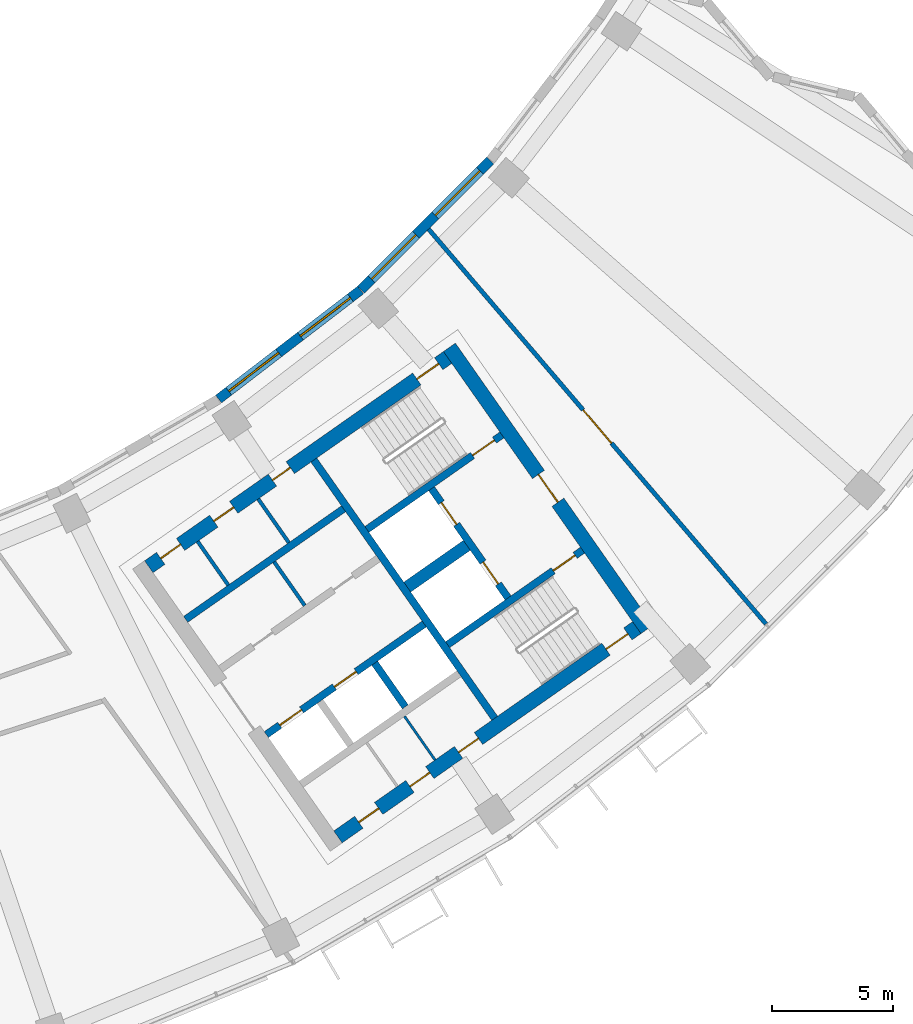
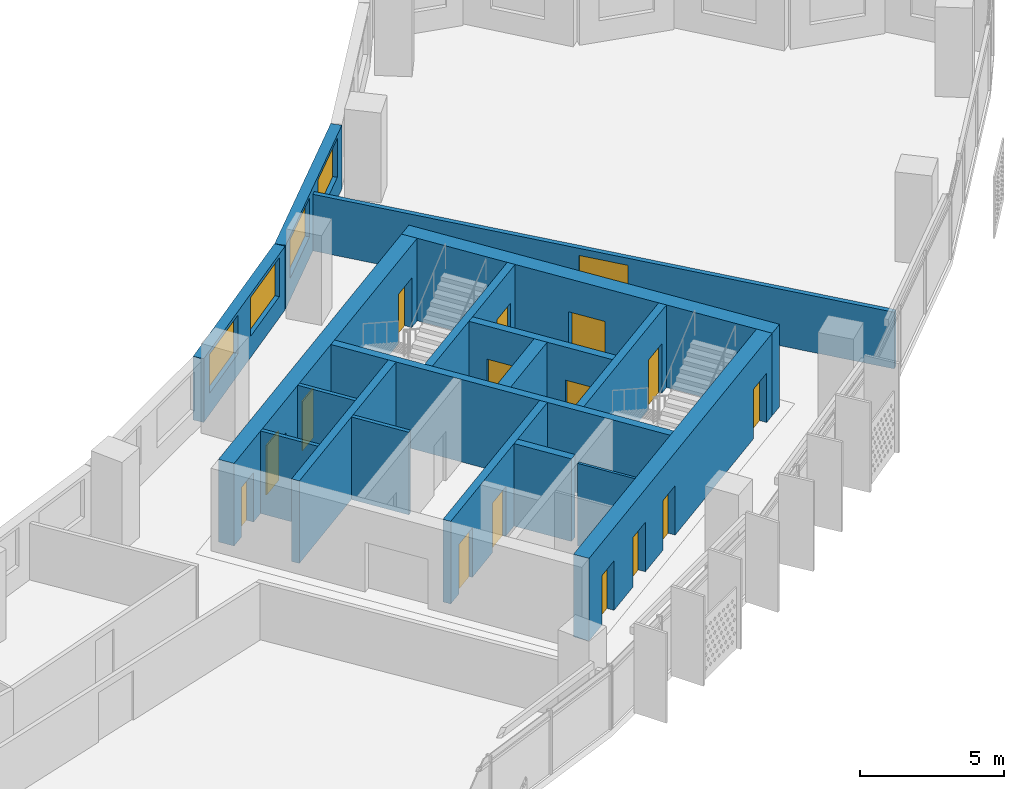
# One storey, part 7 of 26: 18 walls, 16 doors, 4 windows, 20 openings.
"""IFC4 building model written with IfcOpenShell, lengths in metres."""

from ifc_helpers import new_model, si_unit, direction, frame, frame_2d, origin, place, context, subcontext, project, spatial, rectangle, extrude, material, layer, layer_set, type_object, element, fill, save


model = new_model("IFC4")

# Units and contexts
model_context = context("Model", 3, precision=1e-05, world=origin(), true_north=direction((0.0, 1.0)))
body_context = subcontext(model_context, "Body", "Model", "MODEL_VIEW")
ifc_project = project(units=[si_unit("LENGTHUNIT", "METRE"), si_unit("AREAUNIT", "SQUARE_METRE"), si_unit("VOLUMEUNIT", "CUBIC_METRE"), si_unit("PLANEANGLEUNIT", "RADIAN"), si_unit("MASSUNIT", "GRAM", prefix="KILO")], contexts=[model_context])

# Site, building, storey
site_placement = place(None, origin())
site = spatial("IfcSite", under=ifc_project, at=site_placement, CompositionType="ELEMENT")
building_placement = place(site_placement, origin())
building = spatial("IfcBuilding", under=site, at=building_placement, Name="Qamariyya Broadcast Tower", CompositionType="ELEMENT")
storey_placement = place(building_placement, frame((0.0, 0.0, 168.300048828125)))
storey = spatial("IfcBuildingStorey", under=building, at=storey_placement, Name="L39", CompositionType="ELEMENT", Elevation=168.300048828125)

# Wall, opening, door
ifc_material_1 = material(Name="Concrete C60/75", Category="concrete")
ifc_layer_1 = layer(ifc_material_1, 0.60009765625)
ifc_layer_set_1 = layer_set([ifc_layer_1], Name="Core wall 600 mm Concrete C60/75")
wall_type_1 = type_object("IfcWallType", Name="Core wall 600 mm Concrete C60/75", PredefinedType="SHEAR", material=ifc_layer_set_1)
wall_1_placement = place(storey_placement, frame((49.4833984375, -57.031494140625, 0.0), z_axis=(0.0, 0.0, 1.0), x_axis=(-0.573560421458, 0.819163257805, 0.0)))
wall_1 = element("IfcWall", 1, at=wall_1_placement, inside=storey, type_object=wall_type_1, Name="k-E-L39-WH", PredefinedType="SHEAR", context=body_context, shape_type="SweptSolid", body=[
    extrude(rectangle(XDim=14.199951171875, YDim=0.60009765625, at=frame_2d((7.10009765625, 0.0))), origin(), (0.0, 0.0, 1.0), 3.5),
])
opening_1_placement = place(wall_1_placement, frame((6.39990234375, 0.0, 0.0)))
opening_1 = element("IfcOpeningElement", 2, at=opening_1_placement, cuts=wall_1, Name="Opening KD2-E1", PredefinedType="OPENING", context=body_context, shape_type="SweptSolid", body=[
    extrude(rectangle(XDim=1.39990234375, YDim=2.10009765625, at=frame_2d((0.699951171875, 1.050048828125))), frame((0.0, 0.31005859375, 0.0), z_axis=(0.0, -1.0, 0.0), x_axis=(1.0, 0.0, 0.0)), (0.0, 0.0, 1.0), 0.6201171875),
])
ifc_material_2 = material(Name="Steel fire-resisting door leaf", Category="steel")
door_type_1 = type_object("IfcDoorType", Name="Fire-fighting lobby door KD2", OperationType="DOUBLE_DOOR_SINGLE_SWING", PredefinedType="DOOR", material=ifc_material_2)
door_1_placement = place(opening_1_placement, origin())
door_1 = element("IfcDoor", 3, at=door_1_placement, inside=storey, type_object=door_type_1, Name="k-E-L39-WH-D14", OperationType="DOUBLE_DOOR_SINGLE_SWING", OverallHeight=2.10009765625, OverallWidth=1.39990234375, PredefinedType="DOOR", context=body_context, shape_type="SweptSolid", body=[
    extrude(rectangle(XDim=1.39990234375, YDim=2.10009765625, at=frame_2d((0.699951171875, 1.050048828125))), frame((0.0, 0.02490234375, 0.0), z_axis=(0.0, -1.0, 0.0), x_axis=(1.0, 0.0, 0.0)), (0.0, 0.0, 1.0), 0.050048828125),
])
fill(opening_1, door_1)

# Wall, openings, doors
wall_2_placement = place(storey_placement, frame((28.940673828125, -54.447021484375, 0.0), z_axis=(0.0, 0.0, 1.0), x_axis=(0.819153391756, 0.573574511963, 0.0)))
wall_2 = element("IfcWall", 4, at=wall_2_placement, inside=storey, type_object=wall_type_1, Name="k-E-L39-WI", PredefinedType="SHEAR", context=body_context, shape_type="SweptSolid", body=[
    extrude(rectangle(XDim=15.04541015625, YDim=0.60009765625, at=frame_2d((7.522705078125, 0.0))), origin(), (0.0, 0.0, 1.0), 3.5),
])
opening_2_placement = place(wall_2_placement, frame((0.60009765625, 0.0, 0.0)))
opening_2 = element("IfcOpeningElement", 5, at=opening_2_placement, cuts=wall_2, Name="Opening KD7-E1", PredefinedType="OPENING", context=body_context, shape_type="SweptSolid", body=[
    extrude(rectangle(XDim=1.0, YDim=2.10009765625, at=frame_2d((0.5, 1.050048828125))), frame((0.0, 0.31005859375, 0.0), z_axis=(0.0, -1.0, 0.0), x_axis=(1.0, 0.0, 0.0)), (0.0, 0.0, 1.0), 0.6201171875),
])
opening_3_placement = place(wall_2_placement, frame((3.27490234375, 0.0, 0.0)))
opening_3 = element("IfcOpeningElement", 6, at=opening_3_placement, cuts=wall_2, Name="Opening KD6-E3", PredefinedType="OPENING", context=body_context, shape_type="SweptSolid", body=[
    extrude(rectangle(XDim=1.0, YDim=2.10009765625, at=frame_2d((0.5, 1.050048828125))), frame((0.0, 0.31005859375, 0.0), z_axis=(0.0, -1.0, 0.0), x_axis=(1.0, 0.0, 0.0)), (0.0, 0.0, 1.0), 0.6201171875),
])
opening_4_placement = place(wall_2_placement, frame((6.22509765625, 0.0, 0.0)))
opening_4 = element("IfcOpeningElement", 7, at=opening_4_placement, cuts=wall_2, Name="Opening KD5-E1", PredefinedType="OPENING", context=body_context, shape_type="SweptSolid", body=[
    extrude(rectangle(XDim=0.89990234375, YDim=2.10009765625, at=frame_2d((0.449951171875, 1.050048828125))), frame((0.0, 0.31005859375, 0.0), z_axis=(0.0, -1.0, 0.0), x_axis=(1.0, 0.0, 0.0)), (0.0, 0.0, 1.0), 0.6201171875),
])
opening_5_placement = place(wall_2_placement, frame((13.495361328125, 0.0, 0.0)))
opening_5 = element("IfcOpeningElement", 8, at=opening_5_placement, cuts=wall_2, Name="Opening KD1-E1", PredefinedType="OPENING", context=body_context, shape_type="SweptSolid", body=[
    extrude(rectangle(XDim=1.10009765625, YDim=2.10009765625, at=frame_2d((0.550048828125, 1.050048828125))), frame((0.0, 0.31005859375, 0.0), z_axis=(0.0, -1.0, 0.0), x_axis=(1.0, 0.0, 0.0)), (0.0, 0.0, 1.0), 0.6201171875),
])
door_type_2 = type_object("IfcDoorType", Name="Accessible toilet door KD7", OperationType="SINGLE_SWING_LEFT", PredefinedType="DOOR", material=ifc_material_2)
door_2_placement = place(opening_2_placement, origin())
door_2 = element("IfcDoor", 9, at=door_2_placement, inside=storey, type_object=door_type_2, Name="k-E-L39-WI-D6", OperationType="SINGLE_SWING_RIGHT", OverallHeight=2.10009765625, OverallWidth=1.0, PredefinedType="DOOR", context=body_context, shape_type="SweptSolid", body=[
    extrude(rectangle(XDim=1.0, YDim=2.10009765625, at=frame_2d((0.5, 1.050048828125))), frame((0.0, 0.02490234375, 0.0), z_axis=(0.0, -1.0, 0.0), x_axis=(1.0, 0.0, 0.0)), (0.0, 0.0, 1.0), 0.050048828125),
])
fill(opening_2, door_2)
door_type_3 = type_object("IfcDoorType", Name="Core room door KD6", OperationType="SINGLE_SWING_LEFT", PredefinedType="DOOR", material=ifc_material_2)
door_3_placement = place(opening_3_placement, origin())
door_3 = element("IfcDoor", 10, at=door_3_placement, inside=storey, type_object=door_type_3, Name="k-E-L39-WI-D7", OperationType="SINGLE_SWING_LEFT", OverallHeight=2.10009765625, OverallWidth=1.0, PredefinedType="DOOR", context=body_context, shape_type="SweptSolid", body=[
    extrude(rectangle(XDim=1.0, YDim=2.10009765625, at=frame_2d((0.5, 1.050048828125))), frame((0.0, 0.02490234375, 0.0), z_axis=(0.0, -1.0, 0.0), x_axis=(1.0, 0.0, 0.0)), (0.0, 0.0, 1.0), 0.050048828125),
])
fill(opening_3, door_3)
door_type_4 = type_object("IfcDoorType", Name="Stair door KD1", OperationType="SINGLE_SWING_LEFT", PredefinedType="DOOR", material=ifc_material_2)
door_4_placement = place(opening_5_placement, origin())
door_4 = element("IfcDoor", 11, at=door_4_placement, inside=storey, type_object=door_type_4, Name="k-E-L39-WI-D15", OperationType="SINGLE_SWING_RIGHT", OverallHeight=2.10009765625, OverallWidth=1.10009765625, PredefinedType="DOOR", context=body_context, shape_type="SweptSolid", body=[
    extrude(rectangle(XDim=1.10009765625, YDim=2.10009765625, at=frame_2d((0.550048828125, 1.050048828125))), frame((0.0, 0.02490234375, 0.0), z_axis=(0.0, -1.0, 0.0), x_axis=(1.0, 0.0, 0.0)), (0.0, 0.0, 1.0), 0.050048828125),
])
fill(opening_5, door_4)
door_type_5 = type_object("IfcDoorType", Name="Toilet door KD5", OperationType="SINGLE_SWING_LEFT", PredefinedType="DOOR", material=ifc_material_2)
door_5_placement = place(opening_4_placement, origin())
door_5 = element("IfcDoor", 12, at=door_5_placement, inside=storey, type_object=door_type_5, Name="k-E-L39-WI-D8", OperationType="SINGLE_SWING_RIGHT", OverallHeight=2.10009765625, OverallWidth=0.89990234375, PredefinedType="DOOR", context=body_context, shape_type="SweptSolid", body=[
    extrude(rectangle(XDim=0.89990234375, YDim=2.10009765625, at=frame_2d((0.449951171875, 1.050048828125))), frame((0.0, 0.02490234375, 0.0), z_axis=(0.0, -1.0, 0.0), x_axis=(1.0, 0.0, 0.0)), (0.0, 0.0, 1.0), 0.050048828125),
])
fill(opening_4, door_5)

wall_3_placement = place(storey_placement, frame((36.7412109375, -65.58740234375, 0.0), z_axis=(0.0, 0.0, 1.0), x_axis=(0.819153391756, 0.573574511963, 0.0)))
wall_3 = element("IfcWall", 13, at=wall_3_placement, inside=storey, type_object=wall_type_1, Name="k-E-L39-WO", PredefinedType="SHEAR", context=body_context, shape_type="SweptSolid", body=[
    extrude(rectangle(XDim=15.04541015625, YDim=0.60009765625, at=frame_2d((7.522705078125, 0.0))), origin(), (0.0, 0.0, 1.0), 3.5),
])
opening_6_placement = place(wall_3_placement, frame((1.050048828125, 0.0, 0.0)))
opening_6 = element("IfcOpeningElement", 14, at=opening_6_placement, cuts=wall_3, Name="Opening KD4-E1", PredefinedType="OPENING", context=body_context, shape_type="SweptSolid", body=[
    extrude(rectangle(XDim=1.0, YDim=2.10009765625, at=frame_2d((0.5, 1.050048828125))), frame((0.0, 0.31005859375, 0.0), z_axis=(0.0, -1.0, 0.0), x_axis=(1.0, 0.0, 0.0)), (0.0, 0.0, 1.0), 0.6201171875),
])
opening_7_placement = place(wall_3_placement, frame((3.625, 0.0, 0.0)))
opening_7 = element("IfcOpeningElement", 15, at=opening_7_placement, cuts=wall_3, Name="Opening KD4-E2", PredefinedType="OPENING", context=body_context, shape_type="SweptSolid", body=[
    extrude(rectangle(XDim=1.0, YDim=2.10009765625, at=frame_2d((0.5, 1.050048828125))), frame((0.0, 0.31005859375, 0.0), z_axis=(0.0, -1.0, 0.0), x_axis=(1.0, 0.0, 0.0)), (0.0, 0.0, 1.0), 0.6201171875),
])
opening_8_placement = place(wall_3_placement, frame((6.074951171875, 0.0, 0.0)))
opening_8 = element("IfcOpeningElement", 16, at=opening_8_placement, cuts=wall_3, Name="Opening KD6-E4", PredefinedType="OPENING", context=body_context, shape_type="SweptSolid", body=[
    extrude(rectangle(XDim=1.0, YDim=2.10009765625, at=frame_2d((0.5, 1.050048828125))), frame((0.0, 0.31005859375, 0.0), z_axis=(0.0, -1.0, 0.0), x_axis=(1.0, 0.0, 0.0)), (0.0, 0.0, 1.0), 0.6201171875),
])
opening_9_placement = place(wall_3_placement, frame((13.495361328125, 0.0, 0.0)))
opening_9 = element("IfcOpeningElement", 17, at=opening_9_placement, cuts=wall_3, Name="Opening KD1-E3", PredefinedType="OPENING", context=body_context, shape_type="SweptSolid", body=[
    extrude(rectangle(XDim=1.10009765625, YDim=2.10009765625, at=frame_2d((0.550048828125, 1.050048828125))), frame((0.0, 0.31005859375, 0.0), z_axis=(0.0, -1.0, 0.0), x_axis=(1.0, 0.0, 0.0)), (0.0, 0.0, 1.0), 0.6201171875),
])
door_6_placement = place(opening_8_placement, origin())
door_6 = element("IfcDoor", 18, at=door_6_placement, inside=storey, type_object=door_type_3, Name="k-E-L39-WO-D11", OperationType="SINGLE_SWING_LEFT", OverallHeight=2.10009765625, OverallWidth=1.0, PredefinedType="DOOR", context=body_context, shape_type="SweptSolid", body=[
    extrude(rectangle(XDim=1.0, YDim=2.10009765625, at=frame_2d((0.5, 1.050048828125))), frame((0.0, 0.02490234375, 0.0), z_axis=(0.0, -1.0, 0.0), x_axis=(1.0, 0.0, 0.0)), (0.0, 0.0, 1.0), 0.050048828125),
])
fill(opening_8, door_6)
door_type_6 = type_object("IfcDoorType", Name="Riser and plant door KD4", OperationType="SINGLE_SWING_LEFT", PredefinedType="DOOR", material=ifc_material_2)
door_7_placement = place(opening_6_placement, origin())
door_7 = element("IfcDoor", 19, at=door_7_placement, inside=storey, type_object=door_type_6, Name="k-E-L39-WO-D9", OperationType="SINGLE_SWING_LEFT", OverallHeight=2.10009765625, OverallWidth=1.0, PredefinedType="DOOR", context=body_context, shape_type="SweptSolid", body=[
    extrude(rectangle(XDim=1.0, YDim=2.10009765625, at=frame_2d((0.5, 1.050048828125))), frame((0.0, 0.02490234375, 0.0), z_axis=(0.0, -1.0, 0.0), x_axis=(1.0, 0.0, 0.0)), (0.0, 0.0, 1.0), 0.050048828125),
])
fill(opening_6, door_7)
door_8_placement = place(opening_7_placement, origin())
door_8 = element("IfcDoor", 20, at=door_8_placement, inside=storey, type_object=door_type_6, Name="k-E-L39-WO-D10", OperationType="SINGLE_SWING_RIGHT", OverallHeight=2.10009765625, OverallWidth=1.0, PredefinedType="DOOR", context=body_context, shape_type="SweptSolid", body=[
    extrude(rectangle(XDim=1.0, YDim=2.10009765625, at=frame_2d((0.5, 1.050048828125))), frame((0.0, 0.02490234375, 0.0), z_axis=(0.0, -1.0, 0.0), x_axis=(1.0, 0.0, 0.0)), (0.0, 0.0, 1.0), 0.050048828125),
])
fill(opening_7, door_8)
door_9_placement = place(opening_9_placement, origin())
door_9 = element("IfcDoor", 21, at=door_9_placement, inside=storey, type_object=door_type_4, Name="k-E-L39-WO-D17", OperationType="SINGLE_SWING_LEFT", OverallHeight=2.10009765625, OverallWidth=1.10009765625, PredefinedType="DOOR", context=body_context, shape_type="SweptSolid", body=[
    extrude(rectangle(XDim=1.10009765625, YDim=2.10009765625, at=frame_2d((0.550048828125, 1.050048828125))), frame((0.0, 0.02490234375, 0.0), z_axis=(0.0, -1.0, 0.0), x_axis=(1.0, 0.0, 0.0)), (0.0, 0.0, 1.0), 0.050048828125),
])
fill(opening_9, door_9)

# Walls
ifc_layer_2 = layer(ifc_material_1, 0.5)
ifc_layer_set_2 = layer_set([ifc_layer_2], Name="Fire-fighting lobby divider wall 500 mm Concrete C60/75")
wall_type_2 = type_object("IfcWallType", Name="Fire-fighting lobby divider wall 500 mm Concrete C60/75", PredefinedType="SOLIDWALL", material=ifc_layer_set_2)
wall_4_placement = place(storey_placement, frame((39.59912109375, -55.28515625, 0.0), z_axis=(0.0, 0.0, 1.0), x_axis=(0.819136323161, 0.573598887793, 0.0)))
element("IfcWall", 22, at=wall_4_placement, inside=storey, type_object=wall_type_2, Name="k-E-L39-FD", PredefinedType="SOLIDWALL", context=body_context, shape_type="SweptSolid", body=[
    extrude(rectangle(XDim=2.999755859375, YDim=0.5, at=frame_2d((1.5, 0.0))), origin(), (0.0, 0.0, 1.0), 3.5),
])
ifc_material_3 = material(Name="Gypsum board partition on steel studs", Category="steel")
ifc_layer_3 = layer(ifc_material_3, 0.14990234375)
ifc_layer_set_3 = layer_set([ifc_layer_3], Name="Gypsum board partition 150 mm")
wall_type_3 = type_object("IfcWallType", Name="Gypsum board partition 150 mm", PredefinedType="PARTITIONING", material=ifc_layer_set_3)
wall_5_placement = place(storey_placement, frame((35.371826171875, -56.047607421875, 0.0), z_axis=(0.0, 0.0, 1.0), x_axis=(-0.573559170999, 0.819164133348, 0.0)))
element("IfcWall", 23, at=wall_5_placement, inside=storey, type_object=wall_type_3, Name="k-E-L39-NC435", PredefinedType="PARTITIONING", context=body_context, shape_type="SweptSolid", body=[
    extrude(rectangle(XDim=2.19970703125, YDim=0.14990234375, at=frame_2d((1.099853515625, 0.0))), origin(), (0.0, 0.0, 1.0), 3.5),
])
wall_6_placement = place(storey_placement, frame((32.2177734375, -55.204345703125, 0.0), z_axis=(0.0, 0.0, 1.0), x_axis=(-0.573581496053, 0.819148501424, 0.0)))
element("IfcWall", 24, at=wall_6_placement, inside=storey, type_object=wall_type_3, Name="k-E-L39-NP225", PredefinedType="PARTITIONING", context=body_context, shape_type="SweptSolid", body=[
    extrude(rectangle(XDim=2.2001953125, YDim=0.14990234375, at=frame_2d((1.10009765625, 0.0))), origin(), (0.0, 0.0, 1.0), 3.5),
])
wall_7_placement = place(storey_placement, frame((34.716064453125, -53.454833984375, 0.0), z_axis=(0.0, 0.0, 1.0), x_axis=(-0.573507030513, 0.819200638399, 0.0)))
element("IfcWall", 25, at=wall_7_placement, inside=storey, type_object=wall_type_3, Name="k-E-L39-NP530", PredefinedType="PARTITIONING", context=body_context, shape_type="SweptSolid", body=[
    extrude(rectangle(XDim=2.199951171875, YDim=0.14990234375, at=frame_2d((1.10009765625, 0.0))), origin(), (0.0, 0.0, 1.0), 3.5),
])
ifc_layer_4 = layer(ifc_material_1, 0.300048828125)
ifc_layer_set_4 = layer_set([ifc_layer_4], Name="Lift shaft wall 300 mm Concrete C60/75")
wall_type_4 = type_object("IfcWallType", Name="Lift shaft wall 300 mm Concrete C60/75", PredefinedType="SOLIDWALL", material=ifc_layer_set_4)
wall_8_placement = place(storey_placement, frame((43.204345703125, -60.69580078125, 0.0), z_axis=(0.0, 0.0, 1.0), x_axis=(-0.573571992966, 0.819155155563, 0.0)))
element("IfcWall", 26, at=wall_8_placement, inside=storey, type_object=wall_type_4, Name="k-E-L39-WL", PredefinedType="SOLIDWALL", context=body_context, shape_type="SweptSolid", body=[
    extrude(rectangle(XDim=13.000244140625, YDim=0.300048828125, at=frame_2d((6.5, 0.0))), origin(), (0.0, 0.0, 1.0), 3.5),
])
wall_9_placement = place(storey_placement, frame((30.460693359375, -56.61767578125, 0.0), z_axis=(0.0, 0.0, 1.0), x_axis=(0.819142461705, 0.573590121456, 0.0)))
element("IfcWall", 27, at=wall_9_placement, inside=storey, type_object=wall_type_4, Name="k-E-L39-NB0", PredefinedType="SOLIDWALL", context=body_context, shape_type="SweptSolid", body=[
    extrude(rectangle(XDim=7.949951171875, YDim=0.300048828125, at=frame_2d((3.97509765625, 0.0))), origin(), (0.0, 0.0, 1.0), 3.5),
])

# Wall, openings, doors
wall_10_placement = place(storey_placement, frame((33.787353515625, -61.368896484375, 0.0), z_axis=(0.0, 0.0, 1.0), x_axis=(0.819152564888, 0.573575692858, 0.0)))
wall_10 = element("IfcWall", 28, at=wall_10_placement, inside=storey, type_object=wall_type_4, Name="k-E-L39-SF0", PredefinedType="SOLIDWALL", context=body_context, shape_type="SweptSolid", body=[
    extrude(rectangle(XDim=7.9501953125, YDim=0.300048828125, at=frame_2d((3.97509765625, 0.0))), origin(), (0.0, 0.0, 1.0), 3.5),
])
opening_10_placement = place(wall_10_placement, frame((0.675048828125, 0.0, 0.0)))
opening_10 = element("IfcOpeningElement", 29, at=opening_10_placement, cuts=wall_10, Name="Opening LD", PredefinedType="OPENING", context=body_context, shape_type="SweptSolid", body=[
    extrude(rectangle(XDim=1.10009765625, YDim=2.10009765625, at=frame_2d((0.550048828125, 1.050048828125))), frame((0.0, 0.159912109375, 0.0), z_axis=(0.0, -1.0, 0.0), x_axis=(1.0, 0.0, 0.0)), (0.0, 0.0, 1.0), 0.320068359375),
])
opening_11_placement = place(wall_10_placement, frame((3.425048828125, 0.0, 0.0)))
opening_11 = element("IfcOpeningElement", 30, at=opening_11_placement, cuts=wall_10, Name="Opening LD", PredefinedType="OPENING", context=body_context, shape_type="SweptSolid", body=[
    extrude(rectangle(XDim=1.10009765625, YDim=2.10009765625, at=frame_2d((0.550048828125, 1.050048828125))), frame((0.0, 0.159912109375, 0.0), z_axis=(0.0, -1.0, 0.0), x_axis=(1.0, 0.0, 0.0)), (0.0, 0.0, 1.0), 0.320068359375),
])
door_type_7 = type_object("IfcDoorType", Name="Lift landing door LD", OperationType="DOUBLE_DOOR_SLIDING", PredefinedType="DOOR", material=ifc_material_2)
door_10_placement = place(opening_10_placement, origin())
door_10 = element("IfcDoor", 31, at=door_10_placement, inside=storey, type_object=door_type_7, Name="k-E-L39-SF0-D4", OperationType="DOUBLE_DOOR_SLIDING", OverallHeight=2.10009765625, OverallWidth=1.10009765625, PredefinedType="DOOR", context=body_context, shape_type="SweptSolid", body=[
    extrude(rectangle(XDim=1.10009765625, YDim=2.10009765625, at=frame_2d((0.550048828125, 1.050048828125))), frame((0.0, 0.02490234375, 0.0), z_axis=(0.0, -1.0, 0.0), x_axis=(1.0, 0.0, 0.0)), (0.0, 0.0, 1.0), 0.050048828125),
])
fill(opening_10, door_10)
door_11_placement = place(opening_11_placement, origin())
door_11 = element("IfcDoor", 32, at=door_11_placement, inside=storey, type_object=door_type_7, Name="k-E-L39-SF0-D5", OperationType="DOUBLE_DOOR_SLIDING", OverallHeight=2.10009765625, OverallWidth=1.10009765625, PredefinedType="DOOR", context=body_context, shape_type="SweptSolid", body=[
    extrude(rectangle(XDim=1.10009765625, YDim=2.10009765625, at=frame_2d((0.550048828125, 1.050048828125))), frame((0.0, 0.02490234375, 0.0), z_axis=(0.0, -1.0, 0.0), x_axis=(1.0, 0.0, 0.0)), (0.0, 0.0, 1.0), 0.050048828125),
])
fill(opening_11, door_11)

# Wall
wall_11_placement = place(storey_placement, frame((38.255859375, -58.423095703125, 0.0), z_axis=(0.0, 0.0, 1.0), x_axis=(0.573633636671, -0.819111989218, 0.0)))
element("IfcWall", 33, at=wall_11_placement, inside=storey, type_object=wall_type_4, Name="k-E-L39-SD1", PredefinedType="SOLIDWALL", context=body_context, shape_type="SweptSolid", body=[
    extrude(rectangle(XDim=2.199951171875, YDim=0.300048828125, at=frame_2d((1.10009765625, 0.0))), origin(), (0.0, 0.0, 1.0), 3.5),
])

# Wall, opening, door
wall_12_placement = place(storey_placement, frame((37.935546875, -52.90966796875, 0.0), z_axis=(0.0, 0.0, 1.0), x_axis=(0.819147518138, 0.57358290031, 0.0)))
wall_12 = element("IfcWall", 34, at=wall_12_placement, inside=storey, type_object=wall_type_4, Name="k-E-L39-NW", PredefinedType="SOLIDWALL", context=body_context, shape_type="SweptSolid", body=[
    extrude(rectangle(XDim=6.79541015625, YDim=0.300048828125, at=frame_2d((3.397705078125, 0.0))), origin(), (0.0, 0.0, 1.0), 3.5),
])
opening_12_placement = place(wall_12_placement, frame((5.3203125, 0.0, 0.0)))
opening_12 = element("IfcOpeningElement", 35, at=opening_12_placement, cuts=wall_12, Name="Opening KD1-E2", PredefinedType="OPENING", context=body_context, shape_type="SweptSolid", body=[
    extrude(rectangle(XDim=1.10009765625, YDim=2.10009765625, at=frame_2d((0.550048828125, 1.050048828125))), frame((0.0, 0.159912109375, 0.0), z_axis=(0.0, -1.0, 0.0), x_axis=(1.0, 0.0, 0.0)), (0.0, 0.0, 1.0), 0.320068359375),
])
door_12_placement = place(opening_12_placement, origin())
door_12 = element("IfcDoor", 36, at=door_12_placement, inside=storey, type_object=door_type_4, Name="k-E-L39-NW-D16", OperationType="SINGLE_SWING_RIGHT", OverallHeight=2.10009765625, OverallWidth=1.10009765625, PredefinedType="DOOR", context=body_context, shape_type="SweptSolid", body=[
    extrude(rectangle(XDim=1.10009765625, YDim=2.10009765625, at=frame_2d((0.550048828125, 1.050048828125))), frame((0.0, 0.02490234375, 0.0), z_axis=(0.0, -1.0, 0.0), x_axis=(1.0, 0.0, 0.0)), (0.0, 0.0, 1.0), 0.050048828125),
])
fill(opening_12, door_12)

wall_13_placement = place(storey_placement, frame((41.262451171875, -57.66064453125, 0.0), z_axis=(0.0, 0.0, 1.0), x_axis=(0.819164398642, 0.573558792102, 0.0)))
wall_13 = element("IfcWall", 37, at=wall_13_placement, inside=storey, type_object=wall_type_4, Name="k-E-L39-SW", PredefinedType="SOLIDWALL", context=body_context, shape_type="SweptSolid", body=[
    extrude(rectangle(XDim=6.795166015625, YDim=0.300048828125, at=frame_2d((3.3974609375, 0.0))), origin(), (0.0, 0.0, 1.0), 3.5),
])
opening_13_placement = place(wall_13_placement, frame((5.3203125, 0.0, 0.0)))
opening_13 = element("IfcOpeningElement", 38, at=opening_13_placement, cuts=wall_13, Name="Opening KD1-E4", PredefinedType="OPENING", context=body_context, shape_type="SweptSolid", body=[
    extrude(rectangle(XDim=1.10009765625, YDim=2.10009765625, at=frame_2d((0.550048828125, 1.050048828125))), frame((0.0, 0.159912109375, 0.0), z_axis=(0.0, -1.0, 0.0), x_axis=(1.0, 0.0, 0.0)), (0.0, 0.0, 1.0), 0.320068359375),
])
door_13_placement = place(opening_13_placement, origin())
door_13 = element("IfcDoor", 39, at=door_13_placement, inside=storey, type_object=door_type_4, Name="k-E-L39-SW-D18", OperationType="SINGLE_SWING_RIGHT", OverallHeight=2.10009765625, OverallWidth=1.10009765625, PredefinedType="DOOR", context=body_context, shape_type="SweptSolid", body=[
    extrude(rectangle(XDim=1.10009765625, YDim=2.10009765625, at=frame_2d((0.550048828125, 1.050048828125))), frame((0.0, 0.02490234375, 0.0), z_axis=(0.0, -1.0, 0.0), x_axis=(1.0, 0.0, 0.0)), (0.0, 0.0, 1.0), 0.050048828125),
])
fill(opening_13, door_13)

# Wall, openings, doors
wall_14_placement = place(storey_placement, frame((43.756591796875, -55.731201171875, 0.0), z_axis=(0.0, 0.0, 1.0), x_axis=(-0.573536818435, 0.819179783625, 0.0)))
wall_14 = element("IfcWall", 40, at=wall_14_placement, inside=storey, type_object=wall_type_4, Name="k-E-L39-FF", PredefinedType="SOLIDWALL", context=body_context, shape_type="SweptSolid", body=[
    extrude(rectangle(XDim=5.500244140625, YDim=0.300048828125, at=frame_2d((2.75, 0.0))), origin(), (0.0, 0.0, 1.0), 3.5),
])
opening_14_placement = place(wall_14_placement, frame((0.699951171875, 0.0, 0.0)))
opening_14 = element("IfcOpeningElement", 41, at=opening_14_placement, cuts=wall_14, Name="Opening LD", PredefinedType="OPENING", context=body_context, shape_type="SweptSolid", body=[
    extrude(rectangle(XDim=1.10009765625, YDim=2.10009765625, at=frame_2d((0.550048828125, 1.050048828125))), frame((0.0, 0.159912109375, 0.0), z_axis=(0.0, -1.0, 0.0), x_axis=(1.0, 0.0, 0.0)), (0.0, 0.0, 1.0), 0.320068359375),
])
opening_15_placement = place(wall_14_placement, frame((3.699951171875, 0.0, 0.0)))
opening_15 = element("IfcOpeningElement", 42, at=opening_15_placement, cuts=wall_14, Name="Opening LD", PredefinedType="OPENING", context=body_context, shape_type="SweptSolid", body=[
    extrude(rectangle(XDim=1.10009765625, YDim=2.10009765625, at=frame_2d((0.550048828125, 1.050048828125))), frame((0.0, 0.159912109375, 0.0), z_axis=(0.0, -1.0, 0.0), x_axis=(1.0, 0.0, 0.0)), (0.0, 0.0, 1.0), 0.320068359375),
])
door_14_placement = place(opening_14_placement, origin())
door_14 = element("IfcDoor", 43, at=door_14_placement, inside=storey, type_object=door_type_7, Name="k-E-L39-FF-D12", OperationType="DOUBLE_DOOR_SLIDING", OverallHeight=2.10009765625, OverallWidth=1.10009765625, PredefinedType="DOOR", context=body_context, shape_type="SweptSolid", body=[
    extrude(rectangle(XDim=1.10009765625, YDim=2.10009765625, at=frame_2d((0.550048828125, 1.050048828125))), frame((0.0, 0.02490234375, 0.0), z_axis=(0.0, -1.0, 0.0), x_axis=(1.0, 0.0, 0.0)), (0.0, 0.0, 1.0), 0.050048828125),
])
fill(opening_14, door_14)
door_15_placement = place(opening_15_placement, origin())
door_15 = element("IfcDoor", 44, at=door_15_placement, inside=storey, type_object=door_type_7, Name="k-E-L39-FF-D13", OperationType="DOUBLE_DOOR_SLIDING", OverallHeight=2.10009765625, OverallWidth=1.10009765625, PredefinedType="DOOR", context=body_context, shape_type="SweptSolid", body=[
    extrude(rectangle(XDim=1.10009765625, YDim=2.10009765625, at=frame_2d((0.550048828125, 1.050048828125))), frame((0.0, 0.02490234375, 0.0), z_axis=(0.0, -1.0, 0.0), x_axis=(1.0, 0.0, 0.0)), (0.0, 0.0, 1.0), 0.050048828125),
])
fill(opening_15, door_15)

# Wall
ifc_material_4 = material(Name="Fire-rated gypsum shaft liner on steel studs", Category="steel")
ifc_layer_5 = layer(ifc_material_4, 0.10009765625)
ifc_layer_set_5 = layer_set([ifc_layer_5], Name="Riser wall 100 mm")
wall_type_5 = type_object("IfcWallType", Name="Riser wall 100 mm", PredefinedType="PLUMBINGWALL", material=ifc_layer_set_5)
wall_15_placement = place(storey_placement, frame((39.485107421875, -60.6142578125, 0.0), z_axis=(0.0, 0.0, 1.0), x_axis=(0.573507030513, -0.819200638399, 0.0)))
element("IfcWall", 45, at=wall_15_placement, inside=storey, type_object=wall_type_5, Name="k-E-L39-SP510", PredefinedType="PLUMBINGWALL", context=body_context, shape_type="SweptSolid", body=[
    extrude(rectangle(XDim=2.199951171875, YDim=0.10009765625, at=frame_2d((1.10009765625, 0.0))), origin(), (0.0, 0.0, 1.0), 3.5),
])

# Wall, opening, door
ifc_material_5 = material(Name="Gypsum board partition")
ifc_layer_6 = layer(ifc_material_5, 0.179931640625)
ifc_layer_set_6 = layer_set([ifc_layer_6], Name="Studio acoustic partition 180 EI 60")
wall_type_6 = type_object("IfcWallType", Name="Studio acoustic partition 180 EI 60", PredefinedType="PARTITIONING", material=ifc_layer_set_6)
wall_16_placement = place(storey_placement, frame((40.478759765625, -40.52294921875, 0.0), z_axis=(0.0, 0.0, 1.0), x_axis=(0.649633284071, -0.760247720303, 0.0)))
wall_16 = element("IfcWall", 46, at=wall_16_placement, inside=storey, type_object=wall_type_6, Name="Partition L39-032", PredefinedType="PARTITIONING", context=body_context, shape_type="SweptSolid", body=[
    extrude(rectangle(XDim=21.420166015625, YDim=0.179931640625, at=frame_2d((10.7099609375, 0.0))), origin(), (0.0, 0.0, 1.0), 2.39990234375),
])
opening_16_placement = place(wall_16_placement, frame((9.81005859375, 0.0, 0.0)))
opening_16 = element("IfcOpeningElement", 47, at=opening_16_placement, cuts=wall_16, Name="Opening L39-D16", PredefinedType="OPENING", context=body_context, shape_type="SweptSolid", body=[
    extrude(rectangle(XDim=1.800048828125, YDim=2.10009765625, at=frame_2d((0.89990234375, 1.050048828125))), frame((0.0, 0.099853515625, 0.0), z_axis=(0.0, -1.0, 0.0), x_axis=(1.0, 0.0, 0.0)), (0.0, 0.0, 1.0), 0.199951171875),
])
ifc_material_6 = material(Name="Timber fire door leaf", Category="wood")
door_type_8 = type_object("IfcDoorType", Name="Double fire door 1800 x 2100 FD60", OperationType="NOTDEFINED", PredefinedType="DOOR", material=ifc_material_6)
door_16_placement = place(opening_16_placement, origin())
door_16 = element("IfcDoor", 48, at=door_16_placement, inside=storey, type_object=door_type_8, Name="Door L39-D16", OperationType="DOUBLE_DOOR_SINGLE_SWING", OverallHeight=2.10009765625, OverallWidth=1.800048828125, PredefinedType="DOOR", context=body_context, shape_type="SweptSolid", body=[
    extrude(rectangle(XDim=1.800048828125, YDim=2.10009765625, at=frame_2d((0.89990234375, 1.050048828125))), frame((0.0, 0.02490234375, 0.0), z_axis=(0.0, -1.0, 0.0), x_axis=(1.0, 0.0, 0.0)), (0.0, 0.0, 1.0), 0.050048828125),
])
fill(opening_16, door_16)

# Wall, openings, windows
ifc_material_7 = material(Name="Terracotta", Category="masonry")
ifc_layer_7 = layer(ifc_material_7, 0.39990234375)
ifc_layer_set_7 = layer_set([ifc_layer_7], Name="Terracotta clad wall 400")
wall_type_7 = type_object("IfcWallType", Name="Terracotta clad wall 400", PredefinedType="SOLIDWALL", material=ifc_layer_set_7)
wall_17_placement = place(storey_placement, frame((37.674560546875, -43.036376953125, 0.0), z_axis=(0.0, 0.0, 1.0), x_axis=(-0.79334647843, -0.608770371457, 0.0)))
wall_17 = element("IfcWall", 49, at=wall_17_placement, inside=storey, type_object=wall_type_7, Name="e-wl-L39-in120", PredefinedType="SOLIDWALL", context=body_context, shape_type="SweptSolid", body=[
    extrude(rectangle(XDim=7.380615234375, YDim=0.39990234375, at=frame_2d((3.6904296875, 0.0))), origin(), (0.0, 0.0, 1.0), 2.699951171875),
])
opening_17_placement = place(wall_17_placement, frame((4.25439453125, 0.0, 0.89990234375)))
opening_17 = element("IfcOpeningElement", 50, at=opening_17_placement, cuts=wall_17, Name="Opening W1", PredefinedType="OPENING", context=body_context, shape_type="SweptSolid", body=[
    extrude(rectangle(XDim=2.60009765625, YDim=1.64990234375, at=frame_2d((1.300048828125, 0.824951171875))), frame((0.0, 0.2099609375, 0.0), z_axis=(0.0, -1.0, 0.0), x_axis=(1.0, 0.0, 0.0)), (0.0, 0.0, 1.0), 0.419921875),
])
opening_18_placement = place(wall_17_placement, frame((0.5263671875, 0.0, 0.89990234375)))
opening_18 = element("IfcOpeningElement", 51, at=opening_18_placement, cuts=wall_17, Name="Opening W1", PredefinedType="OPENING", context=body_context, shape_type="SweptSolid", body=[
    extrude(rectangle(XDim=2.60009765625, YDim=1.64990234375, at=frame_2d((1.300048828125, 0.824951171875))), frame((0.0, 0.2099609375, 0.0), z_axis=(0.0, -1.0, 0.0), x_axis=(1.0, 0.0, 0.0)), (0.0, 0.0, 1.0), 0.419921875),
])
ifc_material_8 = material(Name="Clear low-e double glazed unit in aluminium frame", Category="aluminium")
window_type = type_object("IfcWindowType", Name="Ribbon window 2600 x 1650", PartitioningType="SINGLE_PANEL", PredefinedType="WINDOW", material=ifc_material_8)
window_1_placement = place(opening_17_placement, origin())
window_1 = element("IfcWindow", 52, at=window_1_placement, inside=storey, type_object=window_type, Name="e-w-L39-in12-0", OverallHeight=1.64990234375, OverallWidth=2.60009765625, PartitioningType="SINGLE_PANEL", PredefinedType="WINDOW", context=body_context, shape_type="SweptSolid", body=[
    extrude(rectangle(XDim=2.60009765625, YDim=1.64990234375, at=frame_2d((1.300048828125, 0.824951171875))), frame((0.0, 0.030029296875, 0.0), z_axis=(0.0, -1.0, 0.0), x_axis=(1.0, 0.0, 0.0)), (0.0, 0.0, 1.0), 0.06005859375),
])
fill(opening_17, window_1)
window_2_placement = place(opening_18_placement, origin())
window_2 = element("IfcWindow", 53, at=window_2_placement, inside=storey, type_object=window_type, Name="e-w-L39-in12-1", OverallHeight=1.64990234375, OverallWidth=2.60009765625, PartitioningType="SINGLE_PANEL", PredefinedType="WINDOW", context=body_context, shape_type="SweptSolid", body=[
    extrude(rectangle(XDim=2.60009765625, YDim=1.64990234375, at=frame_2d((1.300048828125, 0.824951171875))), frame((0.0, 0.030029296875, 0.0), z_axis=(0.0, -1.0, 0.0), x_axis=(1.0, 0.0, 0.0)), (0.0, 0.0, 1.0), 0.06005859375),
])
fill(opening_18, window_2)

wall_18_placement = place(storey_placement, frame((43.023193359375, -37.697265625, 0.0), z_axis=(0.0, 0.0, 1.0), x_axis=(-0.707106781187, -0.707106781187, 0.0)))
wall_18 = element("IfcWall", 54, at=wall_18_placement, inside=storey, type_object=wall_type_7, Name="e-wl-L39-in130", PredefinedType="SOLIDWALL", context=body_context, shape_type="SweptSolid", body=[
    extrude(rectangle(XDim=7.531982421875, YDim=0.39990234375, at=frame_2d((3.76611328125, 0.0))), origin(), (0.0, 0.0, 1.0), 2.699951171875),
])
opening_19_placement = place(wall_18_placement, frame((4.330078125, 0.0, 0.89990234375)))
opening_19 = element("IfcOpeningElement", 55, at=opening_19_placement, cuts=wall_18, Name="Opening W1", PredefinedType="OPENING", context=body_context, shape_type="SweptSolid", body=[
    extrude(rectangle(XDim=2.60009765625, YDim=1.64990234375, at=frame_2d((1.300048828125, 0.824951171875))), frame((0.0, 0.2099609375, 0.0), z_axis=(0.0, -1.0, 0.0), x_axis=(1.0, 0.0, 0.0)), (0.0, 0.0, 1.0), 0.419921875),
])
opening_20_placement = place(wall_18_placement, frame((0.60205078125, 0.0, 0.89990234375)))
opening_20 = element("IfcOpeningElement", 56, at=opening_20_placement, cuts=wall_18, Name="Opening W1", PredefinedType="OPENING", context=body_context, shape_type="SweptSolid", body=[
    extrude(rectangle(XDim=2.60009765625, YDim=1.64990234375, at=frame_2d((1.300048828125, 0.824951171875))), frame((0.0, 0.2099609375, 0.0), z_axis=(0.0, -1.0, 0.0), x_axis=(1.0, 0.0, 0.0)), (0.0, 0.0, 1.0), 0.419921875),
])
window_3_placement = place(opening_19_placement, origin())
window_3 = element("IfcWindow", 57, at=window_3_placement, inside=storey, type_object=window_type, Name="e-w-L39-in13-0", OverallHeight=1.64990234375, OverallWidth=2.60009765625, PartitioningType="SINGLE_PANEL", PredefinedType="WINDOW", context=body_context, shape_type="SweptSolid", body=[
    extrude(rectangle(XDim=2.60009765625, YDim=1.64990234375, at=frame_2d((1.300048828125, 0.824951171875))), frame((0.0, 0.030029296875, 0.0), z_axis=(0.0, -1.0, 0.0), x_axis=(1.0, 0.0, 0.0)), (0.0, 0.0, 1.0), 0.06005859375),
])
fill(opening_19, window_3)
window_4_placement = place(opening_20_placement, origin())
window_4 = element("IfcWindow", 58, at=window_4_placement, inside=storey, type_object=window_type, Name="e-w-L39-in13-1", OverallHeight=1.64990234375, OverallWidth=2.60009765625, PartitioningType="SINGLE_PANEL", PredefinedType="WINDOW", context=body_context, shape_type="SweptSolid", body=[
    extrude(rectangle(XDim=2.60009765625, YDim=1.64990234375, at=frame_2d((1.300048828125, 0.824951171875))), frame((0.0, 0.030029296875, 0.0), z_axis=(0.0, -1.0, 0.0), x_axis=(1.0, 0.0, 0.0)), (0.0, 0.0, 1.0), 0.06005859375),
])
fill(opening_20, window_4)

save(model, "model.ifc")
